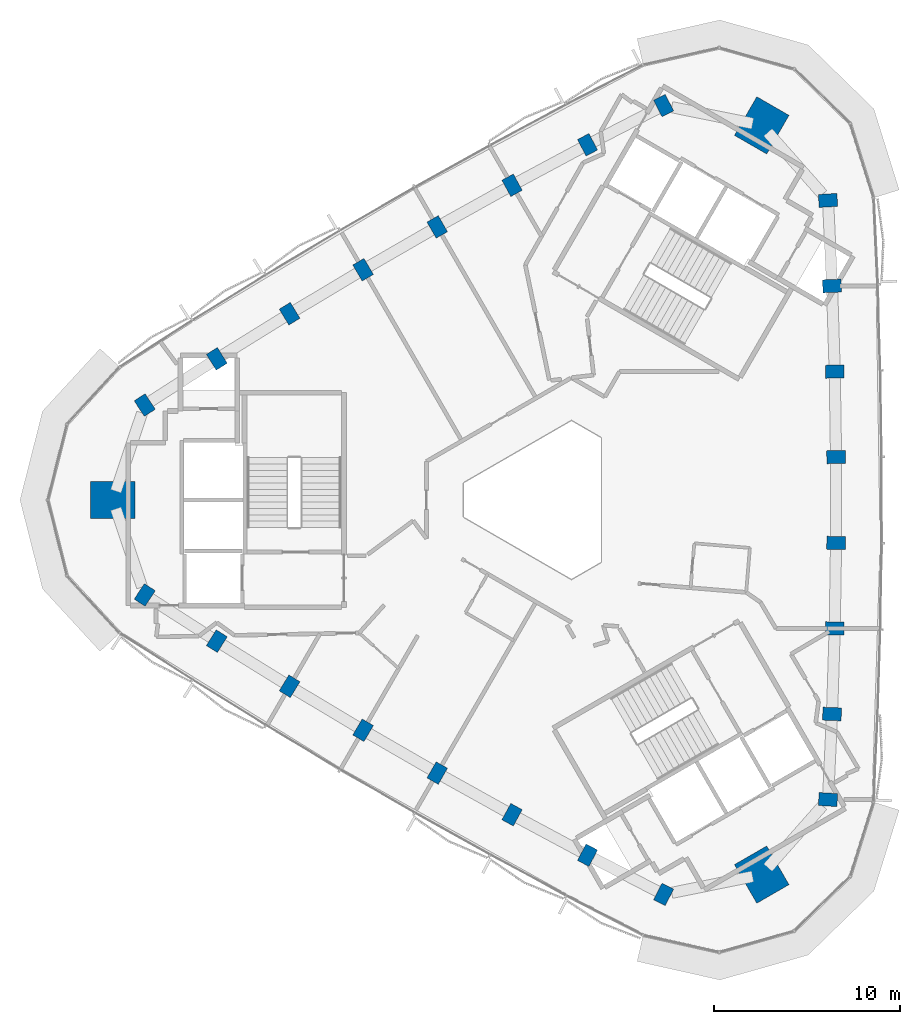
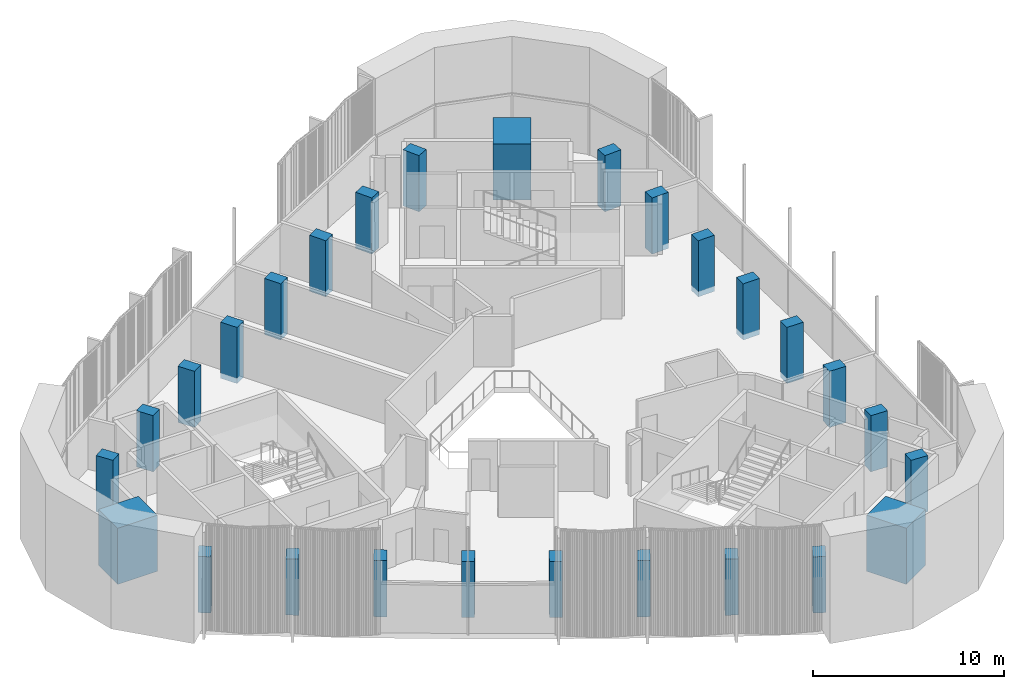
# One storey, part 1 of 12: 27 columns.
"""IFC4 building model written with IfcOpenShell, lengths in metres."""

from ifc_helpers import new_model, si_unit, direction, frame, origin, origin_2d, place, context, subcontext, project, spatial, rectangle, extrude, material, material_profile, profile_set, type_object, element, save


model = new_model("IFC4")

# Units and contexts
model_context = context("Model", 3, precision=1e-05, world=origin(), true_north=direction((0.0, 1.0)))
body_context = subcontext(model_context, "Body", "Model", "MODEL_VIEW")
ifc_project = project(units=[si_unit("LENGTHUNIT", "METRE"), si_unit("AREAUNIT", "SQUARE_METRE"), si_unit("VOLUMEUNIT", "CUBIC_METRE"), si_unit("PLANEANGLEUNIT", "RADIAN"), si_unit("MASSUNIT", "GRAM", prefix="KILO")], contexts=[model_context])

# Site, building, storey
site_placement = place(None, origin())
site = spatial("IfcSite", under=ifc_project, at=site_placement, CompositionType="ELEMENT")
building_placement = place(site_placement, origin())
building = spatial("IfcBuilding", under=site, at=building_placement, Name="Tamra Quay Hotel Tower", CompositionType="ELEMENT")
storey_placement = place(building_placement, frame((0.0, 0.0, 273.0)))
storey = spatial("IfcBuildingStorey", under=building, at=storey_placement, Name="L69", CompositionType="ELEMENT", Elevation=273.0)

# Columns
ifc_material = material(Name="Concrete M70", Category="concrete")
ifc_material_profile_1 = material_profile(ifc_material, rectangle(XDim=1.0, YDim=0.699951171875, at=origin_2d()), Name="COLUMN RC 700x1000 Z6")
ifc_profile_set_1 = profile_set([ifc_material_profile_1], Name="Concrete M70")
column_type_1 = type_object("IfcColumnType", Name="COLUMN RC 700x1000 Z6", PredefinedType="COLUMN", material=ifc_profile_set_1)
for number, where, z_axis, x_axis, name in (
    (1, (15.202392578125, -16.116943359375, -0.35009765625), (0.0, 0.0, 1.0), (-0.998490919119, 0.05491706873, 0.0), "COL-C6E01-L69"),
    (2, (15.418212890625, -11.51513671875, -0.35009765625), (0.0, 0.0, 1.0), (-0.999251212442, 0.03869127076, 0.0), "COL-C6E02-L69"),
    (3, (15.56201171875, -6.909912109375, -0.35009765625), (0.0, 0.0, 1.0), (-0.999717847188, 0.023753442163, 0.0), "COL-C6E03-L69"),
    (4, (15.634033203125, -2.303466796875, -0.35009765625), (0.0, 0.0, 1.0), (-0.999968634555, 0.007920221337, 0.0), "COL-C6E04-L69"),
    (5, (15.634033203125, 2.303466796875, -0.35009765625), (0.0, 0.0, 1.0), (0.999968634555, 0.007920221337, 0.0), "COL-C6E05-L69"),
    (6, (15.56201171875, 6.909912109375, -0.35009765625), (0.0, 0.0, 1.0), (0.999717847188, 0.023753442163, 0.0), "COL-C6E06-L69"),
    (7, (15.418212890625, 11.51513671875, -0.35009765625), (0.0, 0.0, 1.0), (0.999251212442, 0.03869127076, 0.0), "COL-C6E07-L69"),
    (8, (15.202392578125, 16.116943359375, -0.35009765625), (0.0, 0.0, 1.0), (0.998490919119, 0.05491706873, 0.0), "COL-C6E08-L69"),
    (9, (6.3564453125, 21.22412109375, -0.35009765625), (0.0, 0.0, 1.0), (-0.451685882938, 0.89217703577, 0.0), "COL-C6NW01-L69"),
    (10, (2.26318359375, 19.110107421875, -0.35009765625), (0.0, 0.0, 1.0), (-0.466117982839, 0.884722570117, 0.0), "COL-C6NW02-L69"),
    (11, (-1.796875, 16.93212890625, -0.35009765625), (0.0, 0.0, 1.0), (-0.479287839253, 0.877657773363, 0.0), "COL-C6NW03-L69"),
    (12, (-5.822265625, 14.69140625, -0.35009765625), (0.0, 0.0, 1.0), (-0.493125204396, 0.869958351181, 0.0), "COL-C6NW04-L69"),
    (13, (-9.81201171875, 12.3876953125, -0.35009765625), (0.0, 0.0, 1.0), (-0.506843430159, 0.862038129844, 0.0), "COL-C6NW05-L69"),
    (14, (-13.765380859375, 10.022216796875, -0.35009765625), (0.0, 0.0, 1.0), (-0.520430007934, 0.8539043312, 0.0), "COL-C6NW06-L69"),
    (15, (-17.681396484375, 7.594970703125, -0.35009765625), (0.0, 0.0, 1.0), (-0.533133229604, 0.846031299357, 0.0), "COL-C6NW07-L69"),
    (16, (-21.558837890625, 5.107421875, -0.35009765625), (0.0, 0.0, 1.0), (-0.546805036181, 0.83725996704, 0.0), "COL-C6NW08-L69"),
    (17, (-21.558837890625, -5.107421875, -0.35009765625), (0.0, 0.0, 1.0), (0.546805036181, 0.83725996704, 0.0), "COL-C6SW01-L69"),
    (18, (-17.681396484375, -7.594970703125, -0.35009765625), (0.0, 0.0, 1.0), (0.533133229604, 0.846031299357, 0.0), "COL-C6SW02-L69"),
    (19, (-13.765380859375, -10.022216796875, -0.35009765625), (0.0, 0.0, 1.0), (0.520430007934, 0.8539043312, 0.0), "COL-C6SW03-L69"),
    (20, (-9.81201171875, -12.3876953125, -0.35009765625), (0.0, 0.0, 1.0), (0.506843430159, 0.862038129844, 0.0), "COL-C6SW04-L69"),
    (21, (-5.822265625, -14.69140625, -0.35009765625), (0.0, 0.0, 1.0), (0.493125204396, 0.869958351181, 0.0), "COL-C6SW05-L69"),
    (22, (-1.796875, -16.93212890625, -0.35009765625), (0.0, 0.0, 1.0), (0.479287839253, 0.877657773363, 0.0), "COL-C6SW06-L69"),
    (23, (2.26318359375, -19.110107421875, -0.35009765625), (0.0, 0.0, 1.0), (0.466117982839, 0.884722570117, 0.0), "COL-C6SW07-L69"),
    (24, (6.3564453125, -21.22412109375, -0.35009765625), (0.0, 0.0, 1.0), (0.451685882938, 0.89217703577, 0.0), "COL-C6SW08-L69"),
):
    element("IfcColumn", number, at=place(storey_placement, frame(where, z_axis=z_axis, x_axis=x_axis)), inside=storey, type_object=column_type_1, Name=name, PredefinedType="COLUMN", context=body_context, shape_type="SweptSolid", body=[
        extrude(rectangle(XDim=1.0, YDim=0.699951171875, at=origin_2d()), origin(), (0.0, 0.0, 1.0), 3.60009765625),
    ])
ifc_material_profile_2 = material_profile(ifc_material, rectangle(XDim=2.39990234375, YDim=2.0, at=origin_2d()), Name="MEGA COLUMN RC 2000x2400 Z6")
ifc_profile_set_2 = profile_set([ifc_material_profile_2], Name="Concrete M70")
column_type_2 = type_object("IfcColumnType", Name="MEGA COLUMN RC 2000x2400 Z6", PredefinedType="COLUMN", material=ifc_profile_set_2)
for number, where, z_axis, x_axis, name in (
    (25, (11.63671875, 20.1552734375, -0.35009765625), (0.0, 0.0, 1.0), (0.5, 0.866025403784, 0.0), "COL-M6NE-L69"),
    (26, (-23.2734375, 0.0, -0.35009765625), (0.0, 0.0, 1.0), (1.0, 0.0, 0.0), "COL-M6W-L69"),
    (27, (11.63671875, -20.1552734375, -0.35009765625), (0.0, 0.0, 1.0), (-0.5, 0.866025403784, 0.0), "COL-M6SE-L69"),
):
    element("IfcColumn", number, at=place(storey_placement, frame(where, z_axis=z_axis, x_axis=x_axis)), inside=storey, type_object=column_type_2, Name=name, PredefinedType="COLUMN", context=body_context, shape_type="SweptSolid", body=[
        extrude(rectangle(XDim=2.39990234375, YDim=2.0, at=origin_2d()), origin(), (0.0, 0.0, 1.0), 3.60009765625),
    ])

save(model, "model.ifc")
